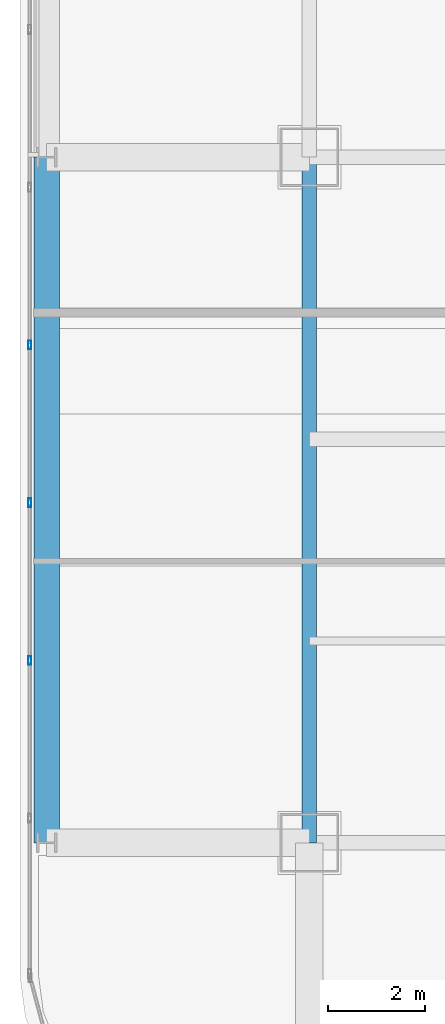
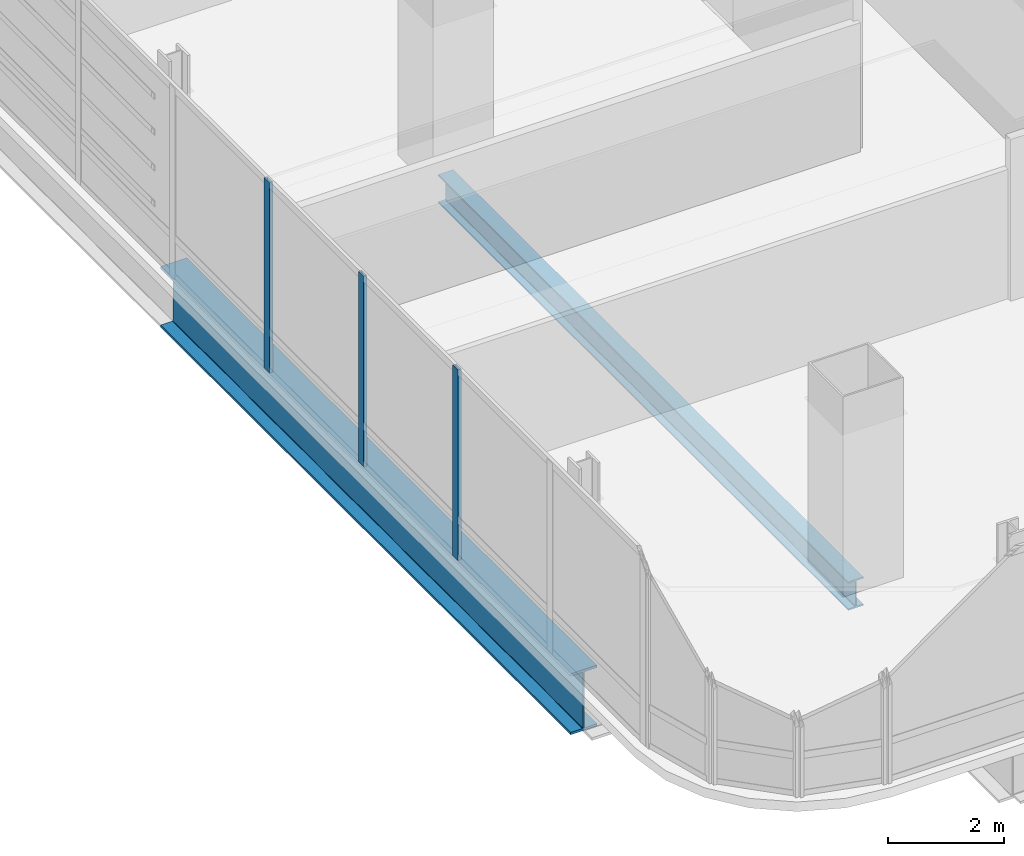
# One storey, part 5 of 43: 3 members, 2 beams, 1 element without a shape of its own.
"""IFC4 building model written with IfcOpenShell, lengths in metres."""

from ifc_helpers import new_model, si_unit, direction, frame, origin, origin_2d, place, context, subcontext, project, spatial, hollow_rectangle, i_section, extrude, material, material_profile, profile_set, type_object, element, aggregate, save


model = new_model("IFC4")

# Units and contexts
model_context = context("Model", 3, precision=1e-05, world=origin(), true_north=direction((0.0, 1.0)))
body_context = subcontext(model_context, "Body", "Model", "MODEL_VIEW")
ifc_project = project(units=[si_unit("LENGTHUNIT", "METRE"), si_unit("AREAUNIT", "SQUARE_METRE"), si_unit("VOLUMEUNIT", "CUBIC_METRE"), si_unit("PLANEANGLEUNIT", "RADIAN"), si_unit("MASSUNIT", "GRAM", prefix="KILO")], contexts=[model_context])

# Site, building, storey
site_placement = place(None, origin())
site = spatial("IfcSite", under=ifc_project, at=site_placement, CompositionType="ELEMENT")
building_placement = place(site_placement, origin())
building = spatial("IfcBuilding", under=site, at=building_placement, Name="Punatoya Terracotta Tower", CompositionType="ELEMENT")
storey_placement = place(building_placement, frame((0.0, 0.0, 321.60009765625)))
storey = spatial("IfcBuildingStorey", under=building, at=storey_placement, Name="L76", CompositionType="ELEMENT", Elevation=321.60009765625)

# Beams
ifc_material_1 = material(Name="Steel S355", Category="steel")
ifc_material_profile_1 = material_profile(ifc_material_1, i_section(OverallWidth=0.300048828125, OverallDepth=0.60009765625, WebThickness=0.015380859375, FlangeThickness=0.030029296875, FilletRadius=0.01806640625, at=origin_2d()))
ifc_profile_set_1 = profile_set([ifc_material_profile_1], Name="Steel S355")
beam_type_1 = type_object("IfcBeamType", Name="BM-PRI-600", PredefinedType="BEAM", material=ifc_profile_set_1)
beam_1_placement = place(storey_placement, frame((-19.10009765625, -17.5, -0.5), z_axis=(0.0, 1.0, 0.0), x_axis=(-1.0, 0.0, 0.0)))
element("IfcBeam", 1, at=beam_1_placement, inside=storey, type_object=beam_type_1, Name="BM-L76-RG-W1", PredefinedType="BEAM", context=body_context, shape_type="SweptSolid", body=[
    extrude(i_section(OverallWidth=0.300048828125, OverallDepth=0.60009765625, WebThickness=0.015380859375, FlangeThickness=0.030029296875, FilletRadius=0.01806640625, at=origin_2d()), origin(), (0.0, 0.0, 1.0), 14.10009765625),
])
ifc_material_2 = material(Name="Steel S460", Category="steel")
ifc_material_profile_2 = material_profile(ifc_material_2, i_section(OverallWidth=0.52001953125, OverallDepth=1.280029296875, WebThickness=0.031982421875, FlangeThickness=0.050048828125, FilletRadius=0.01806640625, at=origin_2d()))
ifc_profile_set_2 = profile_set([ifc_material_profile_2], Name="Steel S460")
beam_type_2 = type_object("IfcBeamType", Name="BM-TG-NCK", PredefinedType="BEAM", material=ifc_profile_set_2)
beam_2_placement = place(storey_placement, frame((-24.5, -17.5, -0.840087890625), z_axis=(0.0, 1.0, 0.0), x_axis=(-1.0, 0.0, 0.0)))
element("IfcBeam", 2, at=beam_2_placement, inside=storey, type_object=beam_type_2, Name="BM-L76-PER-W1", PredefinedType="BEAM", context=body_context, shape_type="SweptSolid", body=[
    extrude(i_section(OverallWidth=0.52001953125, OverallDepth=1.280029296875, WebThickness=0.031982421875, FlangeThickness=0.050048828125, FilletRadius=0.01806640625, at=origin_2d()), origin(), (0.0, 0.0, 1.0), 14.10009765625),
])

# Curtain wall, members
ifc_material_3 = material(Name="Aluminium 6063-T6 + Double Low-E Glass", Category="aluminium")
curtain_wall_type = type_object("IfcCurtainWallType", Name="CW-OBS", PredefinedType="NOTDEFINED", material=ifc_material_3)
curtain_wall_placement = place(storey_placement, origin())
curtain_wall = element("IfcCurtainWall", 3, at=curtain_wall_placement, inside=storey, type_object=curtain_wall_type, Name="L76 Curtain Wall CW-L76-W13-1", PredefinedType="NOTDEFINED")
ifc_material_4 = material(Name="Aluminium 6063-T6", Category="aluminium")
ifc_material_profile_3 = material_profile(ifc_material_4, hollow_rectangle(XDim=0.070068359375, YDim=0.179931640625, WallThickness=0.00390625, at=origin_2d()))
ifc_profile_set_3 = profile_set([ifc_material_profile_3], Name="Aluminium 6063-T6")
member_type = type_object("IfcMemberType", Name="CW-MUL-M3", PredefinedType="MULLION", material=ifc_profile_set_3)
member_1_placement = place(storey_placement, frame((-24.85009765625, -7.2646484375, 0.0), z_axis=(0.0, 0.0, 1.0), x_axis=(1.0, 0.0, 0.0)))
member_1 = element("IfcMember", 4, at=member_1_placement, type_object=member_type, Name="CW-L76-W13-1 Mullion 07", PredefinedType="MULLION", context=body_context, shape_type="SweptSolid", body=[
    extrude(hollow_rectangle(XDim=0.070068359375, YDim=0.179931640625, WallThickness=0.00390625, at=origin_2d()), origin(), (0.0, 0.0, 1.0), 4.0),
])
member_2_placement = place(storey_placement, frame((-24.85009765625, -10.5078125, 0.0), z_axis=(0.0, 0.0, 1.0), x_axis=(1.0, 0.0, 0.0)))
member_2 = element("IfcMember", 5, at=member_2_placement, type_object=member_type, Name="CW-L76-W13-1 Mullion 08", PredefinedType="MULLION", context=body_context, shape_type="SweptSolid", body=[
    extrude(hollow_rectangle(XDim=0.070068359375, YDim=0.179931640625, WallThickness=0.00390625, at=origin_2d()), origin(), (0.0, 0.0, 1.0), 4.0),
])
member_3_placement = place(storey_placement, frame((-24.85009765625, -13.750732421875, 0.0), z_axis=(0.0, 0.0, 1.0), x_axis=(1.0, 0.0, 0.0)))
member_3 = element("IfcMember", 6, at=member_3_placement, type_object=member_type, Name="CW-L76-W13-1 Mullion 09", PredefinedType="MULLION", context=body_context, shape_type="SweptSolid", body=[
    extrude(hollow_rectangle(XDim=0.070068359375, YDim=0.179931640625, WallThickness=0.00390625, at=origin_2d()), origin(), (0.0, 0.0, 1.0), 4.0),
])
aggregate(curtain_wall, [member_1, member_2, member_3])

save(model, "model.ifc")
